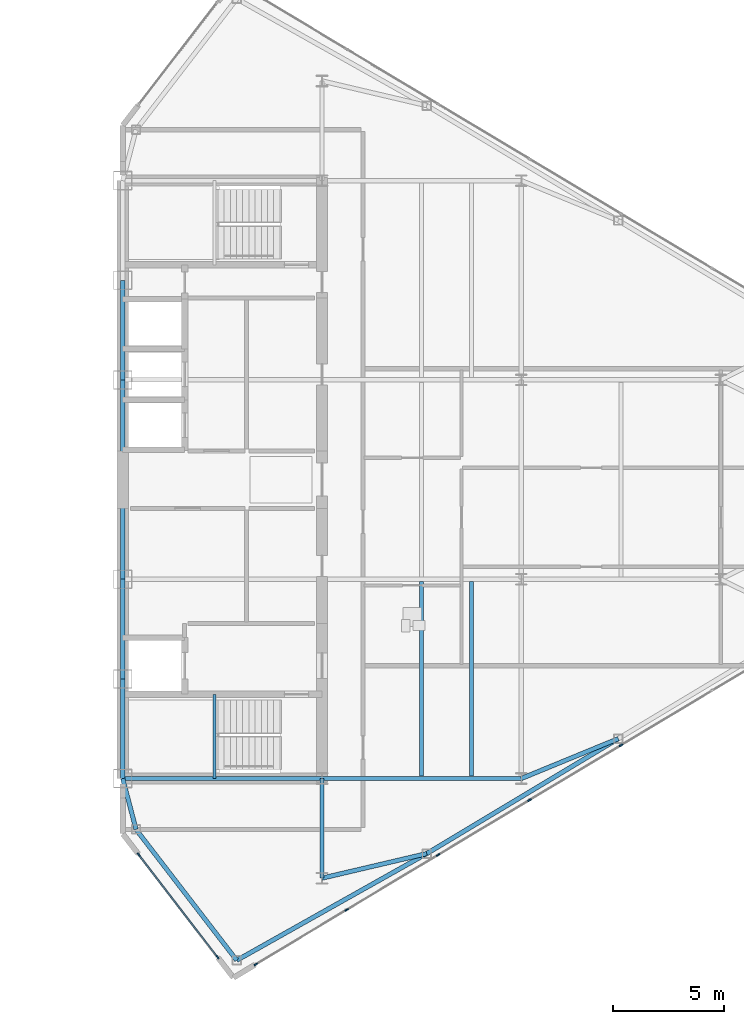
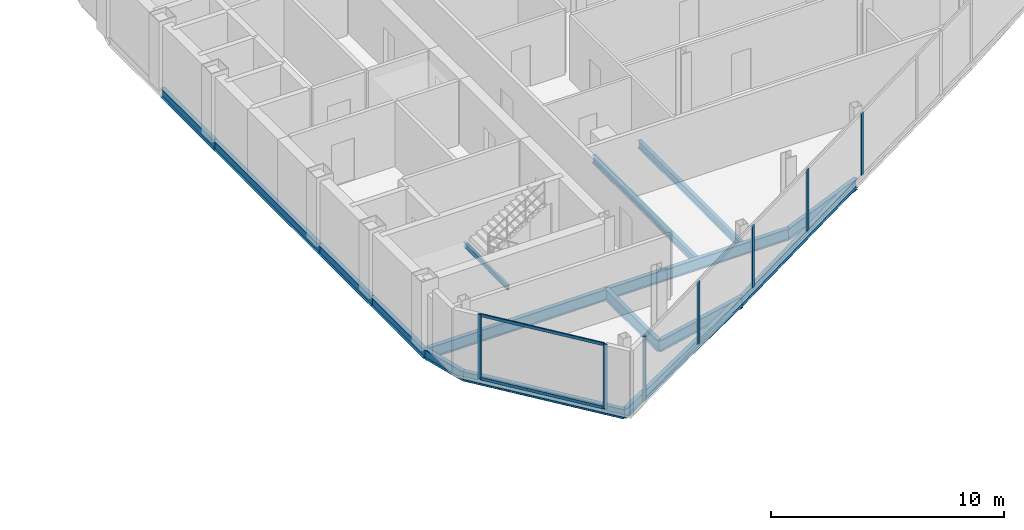
# One storey, part 11 of 25: 16 beams, 9 members, 2 elements without a shape of their own.
"""IFC4 building model written with IfcOpenShell, lengths in metres."""

from ifc_helpers import new_model, si_unit, direction, frame, origin, origin_2d, place, context, subcontext, project, spatial, rectangle, i_section, extrude, source, transform, mapped, material, layer, layer_set, material_profile, profile_set, type_object, type_shapes, element, aggregate, save


model = new_model("IFC4")

# Units and contexts
model_context = context("Model", 3, precision=1e-05, world=origin(), true_north=direction((0.0, 1.0)))
body_context = subcontext(model_context, "Body", "Model", "MODEL_VIEW")
ifc_project = project(units=[si_unit("LENGTHUNIT", "METRE"), si_unit("AREAUNIT", "SQUARE_METRE"), si_unit("VOLUMEUNIT", "CUBIC_METRE"), si_unit("PLANEANGLEUNIT", "RADIAN"), si_unit("MASSUNIT", "GRAM", prefix="KILO")], contexts=[model_context])

# Site, building, storey
site_placement = place(None, origin())
site = spatial("IfcSite", under=ifc_project, at=site_placement, CompositionType="ELEMENT")
building_placement = place(site_placement, origin())
building = spatial("IfcBuilding", under=site, at=building_placement, Name="Seokmaru Belvedere", CompositionType="ELEMENT")
storey_placement = place(building_placement, frame((0.0, 0.0, 217.5)))
storey = spatial("IfcBuildingStorey", under=building, at=storey_placement, Name="L58", CompositionType="ELEMENT", Elevation=217.5)

# Beams
ifc_material_1 = material(Name="Steel SM355 (355 MPa)", Category="steel")
ifc_material_profile_1 = material_profile(ifc_material_1, i_section(OverallWidth=0.199951171875, OverallDepth=0.5, WebThickness=0.010009765625, FlangeThickness=0.01611328125, at=origin_2d()), Name="H-500x200x10x16")
ifc_profile_set_1 = profile_set([ifc_material_profile_1], Name="Steel SM355 (355 MPa)")
beam_type_1 = type_object("IfcBeamType", Name="Perimeter Spandrel Beam H-500", PredefinedType="SPANDREL", material=ifc_profile_set_1)
shared_shape_1 = source(origin(), body_context, "Body", "SweptSolid", [
    extrude(i_section(OverallWidth=0.199951171875, OverallDepth=0.5, WebThickness=0.010009765625, FlangeThickness=0.01611328125, at=origin_2d()), origin(), (0.0, 0.0, 1.0), 4.5),
])
for number, where, z_axis, x_axis, name in (
    (1, (27.5, -13.5, -0.469970703125), (0.0, 1.0, 0.0), (-1.0, 0.0, 0.0), "L58 E Portal Spine Spandrel 1"),
    (2, (27.5, -9.0, -0.469970703125), (0.0, 1.0, 0.0), (-1.0, 0.0, 0.0), "L58 E Portal Spine Spandrel 2"),
    (3, (27.5, 4.5, -0.469970703125), (0.0, 1.0, 0.0), (-1.0, 0.0, 0.0), "L58 E Portal Spine Spandrel 4"),
):
    element("IfcBeam", number, at=place(storey_placement, frame(where, z_axis=z_axis, x_axis=x_axis)), inside=storey, type_object=beam_type_1, Name=name, PredefinedType="SPANDREL", context=body_context, shape_type="MappedRepresentation", body=[
        mapped(shared_shape_1, transform((0.0, 0.0, 0.0), scale=1.0)),
    ])
shared_shape_2 = source(origin(), body_context, "Body", "SweptSolid", [
    extrude(i_section(OverallWidth=0.199951171875, OverallDepth=0.5, WebThickness=0.010009765625, FlangeThickness=0.01611328125, at=origin_2d()), origin(), (0.0, 0.0, 1.0), 9.0),
])
beam_1_placement = place(storey_placement, frame((27.5, -4.5, -0.469970703125), z_axis=(0.0, 1.0, 0.0), x_axis=(-1.0, 0.0, 0.0)))
element("IfcBeam", 4, at=beam_1_placement, inside=storey, type_object=beam_type_1, Name="L58 E Portal Spine Spandrel 3", PredefinedType="SPANDREL", context=body_context, shape_type="MappedRepresentation", body=[
    mapped(shared_shape_2, transform((0.0, 0.0, 0.0), scale=1.0)),
])
ifc_material_profile_2 = material_profile(ifc_material_1, i_section(OverallWidth=0.199951171875, OverallDepth=0.60009765625, WebThickness=0.010986328125, FlangeThickness=0.01708984375, at=origin_2d()), Name="H-600x200x11x17")
ifc_profile_set_2 = profile_set([ifc_material_profile_2], Name="Steel SM355 (355 MPa)")
beam_type_2 = type_object("IfcBeamType", Name="Primary Floor Girder H-600", PredefinedType="BEAM", material=ifc_profile_set_2)
shared_shape_3 = source(origin(), body_context, "Body", "SweptSolid", [
    extrude(i_section(OverallWidth=0.199951171875, OverallDepth=0.60009765625, WebThickness=0.010986328125, FlangeThickness=0.01708984375, at=origin_2d()), origin(), (0.0, 0.0, 1.0), 9.0),
])
for number, where, z_axis, x_axis, name in (
    (5, (27.5, -13.5, -0.52001953125), (1.0, 0.0, 0.0), (0.0, 1.0, 0.0), "L58 E Core Tie Girder 1"),
    (6, (36.5, -13.5, -0.52001953125), (1.0, 0.0, 0.0), (0.0, 1.0, 0.0), "L58 E Wing Primary Girder 1"),
):
    element("IfcBeam", number, at=place(storey_placement, frame(where, z_axis=z_axis, x_axis=x_axis)), inside=storey, type_object=beam_type_2, Name=name, PredefinedType="BEAM", context=body_context, shape_type="MappedRepresentation", body=[
        mapped(shared_shape_3, transform((0.0, 0.0, 0.0), scale=1.0)),
    ])
ifc_material_profile_3 = material_profile(ifc_material_1, i_section(OverallWidth=0.18505859375, OverallDepth=0.389892578125, WebThickness=0.008056640625, FlangeThickness=0.011962890625, at=origin_2d()), Name="H-390x185x8x12")
ifc_profile_set_3 = profile_set([ifc_material_profile_3], Name="Steel SM355 (355 MPa)")
beam_type_3 = type_object("IfcBeamType", Name="Secondary Floor Joist H-350", PredefinedType="JOIST", material=ifc_profile_set_3)
shared_shape_4 = source(origin(), body_context, "Body", "SweptSolid", [
    extrude(i_section(OverallWidth=0.18505859375, OverallDepth=0.389892578125, WebThickness=0.008056640625, FlangeThickness=0.011962890625, at=origin_2d()), origin(), (0.0, 0.0, 1.0), 8.7900390625),
])
type_shapes(beam_type_3, [shared_shape_4])
for number, where, z_axis, x_axis, name in (
    (7, (43.25, -13.39501953125, -0.4150390625), (0.0, 1.0, 0.0), (-1.0, 0.0, 0.0), "L58 E Wing Inner Secondary Joist 1"),
    (8, (41.0, -13.39501953125, -0.4150390625), (0.0, 1.0, 0.0), (-1.0, 0.0, 0.0), "L58 E Secondary Floor Joist 1"),
):
    element("IfcBeam", number, at=place(storey_placement, frame(where, z_axis=z_axis, x_axis=x_axis)), inside=storey, type_object=beam_type_3, Name=name, PredefinedType="JOIST", context=body_context, shape_type="MappedRepresentation", body=[
        mapped(shared_shape_4, transform((0.0, 0.0, 0.0), scale=1.0)),
    ])
shared_shape_5 = source(origin(), body_context, "Body", "SweptSolid", [
    extrude(i_section(OverallWidth=0.199951171875, OverallDepth=0.60009765625, WebThickness=0.010986328125, FlangeThickness=0.01708984375, at=origin_2d()), origin(), (0.0, 0.0, 1.0), 4.5),
])
beam_2_placement = place(storey_placement, frame((36.5, -18.0, -0.52001953125), z_axis=(0.0, 1.0, 0.0), x_axis=(-1.0, 0.0, 0.0)))
element("IfcBeam", 9, at=beam_2_placement, inside=storey, type_object=beam_type_2, Name="L58 E Core Shoulder Girder S", PredefinedType="BEAM", context=body_context, shape_type="MappedRepresentation", body=[
    mapped(shared_shape_5, transform((0.0, 0.0, 0.0), scale=1.0)),
])
shared_shape_6 = source(origin(), body_context, "Body", "SweptSolid", [
    extrude(i_section(OverallWidth=0.199951171875, OverallDepth=0.5, WebThickness=0.010009765625, FlangeThickness=0.01611328125, at=origin_2d()), origin(), (0.0, 0.0, 1.0), 9.842041015625),
])
beam_3_placement = place(storey_placement, frame((32.649658203125, -21.71044921875, -0.469970703125), z_axis=(0.871782151818, 0.489893743349, 0.0), x_axis=(-0.489893743349, 0.871782151818, 0.0)))
element("IfcBeam", 10, at=beam_3_placement, inside=storey, type_object=beam_type_1, Name="L58 E Faceted Flank Spandrel S-1", PredefinedType="SPANDREL", context=body_context, shape_type="MappedRepresentation", body=[
    mapped(shared_shape_6, transform((0.0, 0.0, 0.0), scale=1.0)),
])
shared_shape_7 = source(origin(), body_context, "Body", "SweptSolid", [
    extrude(i_section(OverallWidth=0.199951171875, OverallDepth=0.5, WebThickness=0.010009765625, FlangeThickness=0.01611328125, at=origin_2d()), origin(), (0.0, 0.0, 1.0), 10.087646484375),
])
beam_4_placement = place(storey_placement, frame((41.229736328125, -16.888916015625, -0.469970703125), z_axis=(0.857499332045, 0.514485078056, 0.0), x_axis=(-0.514485078056, 0.857499332045, 0.0)))
element("IfcBeam", 11, at=beam_4_placement, inside=storey, type_object=beam_type_1, Name="L58 E Faceted Flank Spandrel S-2", PredefinedType="SPANDREL", context=body_context, shape_type="MappedRepresentation", body=[
    mapped(shared_shape_7, transform((0.0, 0.0, 0.0), scale=1.0)),
])
shared_shape_8 = source(origin(), body_context, "Body", "SweptSolid", [
    extrude(i_section(OverallWidth=0.199951171875, OverallDepth=0.5, WebThickness=0.010009765625, FlangeThickness=0.01611328125, at=origin_2d()), origin(), (0.0, 0.0, 1.0), 7.4619140625),
])
beam_5_placement = place(storey_placement, frame((32.649658203125, -21.71044921875, -0.469970703125), z_axis=(-0.609702854945, 0.792630070507, 0.0), x_axis=(-0.792630070507, -0.609702854945, 0.0)))
element("IfcBeam", 12, at=beam_5_placement, inside=storey, type_object=beam_type_1, Name="L58 E Shoulder Chamfer Spandrel S", PredefinedType="SPANDREL", context=body_context, shape_type="MappedRepresentation", body=[
    mapped(shared_shape_8, transform((0.0, 0.0, 0.0), scale=1.0)),
])
shared_shape_9 = source(origin(), body_context, "Body", "SweptSolid", [
    extrude(i_section(OverallWidth=0.199951171875, OverallDepth=0.5, WebThickness=0.010009765625, FlangeThickness=0.01611328125, at=origin_2d()), origin(), (0.0, 0.0, 1.0), 2.373046875),
])
type_shapes(beam_type_1, [shared_shape_1, shared_shape_2, shared_shape_6, shared_shape_7, shared_shape_8, shared_shape_9])
beam_6_placement = place(storey_placement, frame((28.10009765625, -15.7958984375, -0.469970703125), z_axis=(-0.252882558842, 0.967496982648, 0.0), x_axis=(-0.967496982648, -0.252882558842, 0.0)))
element("IfcBeam", 13, at=beam_6_placement, inside=storey, type_object=beam_type_1, Name="L58 E Shoulder Spine Spandrel S", PredefinedType="SPANDREL", context=body_context, shape_type="MappedRepresentation", body=[
    mapped(shared_shape_9, transform((0.0, 0.0, 0.0), scale=1.0)),
])
shared_shape_10 = source(origin(), body_context, "Body", "SweptSolid", [
    extrude(i_section(OverallWidth=0.199951171875, OverallDepth=0.60009765625, WebThickness=0.010986328125, FlangeThickness=0.01708984375, at=origin_2d()), origin(), (0.0, 0.0, 1.0), 4.8583984375),
])
beam_7_placement = place(storey_placement, frame((41.229736328125, -16.888916015625, -0.52001953125), z_axis=(-0.97349948295, -0.228689214211, 0.0), x_axis=(0.228689214211, -0.97349948295, 0.0)))
element("IfcBeam", 14, at=beam_7_placement, inside=storey, type_object=beam_type_2, Name="L58 E Flank Radial Floor Girder S-1", PredefinedType="BEAM", context=body_context, shape_type="MappedRepresentation", body=[
    mapped(shared_shape_10, transform((0.0, 0.0, 0.0), scale=1.0)),
])
shared_shape_11 = source(origin(), body_context, "Body", "SweptSolid", [
    extrude(i_section(OverallWidth=0.199951171875, OverallDepth=0.60009765625, WebThickness=0.010986328125, FlangeThickness=0.01708984375, at=origin_2d()), origin(), (0.0, 0.0, 1.0), 4.73583984375),
])
type_shapes(beam_type_2, [shared_shape_3, shared_shape_5, shared_shape_10, shared_shape_11])
beam_8_placement = place(storey_placement, frame((49.8798828125, -11.698974609375, -0.52001953125), z_axis=(-0.924860562953, -0.380306375301, 0.0), x_axis=(0.380306375301, -0.924860562953, 0.0)))
element("IfcBeam", 15, at=beam_8_placement, inside=storey, type_object=beam_type_2, Name="L58 E Flank Radial Floor Girder S-2", PredefinedType="BEAM", context=body_context, shape_type="MappedRepresentation", body=[
    mapped(shared_shape_11, transform((0.0, 0.0, 0.0), scale=1.0)),
])

# Curtain wall, member
ifc_material_2 = material(Name="Bronze Triple Insulating Glass", Category="glass")
ifc_layer = layer(ifc_material_2, 0.179931640625)
ifc_layer_set = layer_set([ifc_layer], Name="Bronze Triple Insulating Glass")
curtain_wall_type = type_object("IfcCurtainWallType", Name="High-Rise Wind-Corner Curtain Wall System CW-5", PredefinedType="NOTDEFINED", material=ifc_layer_set)
curtain_wall_1_placement = place(storey_placement, origin())
curtain_wall_1 = element("IfcCurtainWall", 16, at=curtain_wall_1_placement, inside=storey, type_object=curtain_wall_type, Name="L58 Curtain Wall EF1", PredefinedType="NOTDEFINED")
ifc_material_3 = material(Name="Anodised Bronze Aluminium", Category="aluminium")
ifc_material_profile_4 = material_profile(ifc_material_3, rectangle(XDim=0.06494140625, YDim=0.179931640625, at=origin_2d()), Name="CW-M-65x180")
ifc_profile_set_4 = profile_set([ifc_material_profile_4], Name="Anodised Bronze Aluminium")
member_type_1 = type_object("IfcMemberType", Name="Bronze Unitised Mullion 65x180", PredefinedType="MULLION", material=ifc_profile_set_4)
shared_shape_12 = source(origin(), body_context, "Body", "SweptSolid", [
    extrude(rectangle(XDim=0.06494140625, YDim=0.179931640625, at=origin_2d()), origin(), (0.0, 0.0, 1.0), 3.3798828125),
])
member_1_placement = place(storey_placement, frame((33.513916015625, -21.8916015625, 0.0), z_axis=(0.0, 0.0, 1.0), x_axis=(-0.514494909364, 0.85749343335, 0.0)))
member_1 = element("IfcMember", 17, at=member_1_placement, type_object=member_type_1, Name="CW:L58:EF1 Mullion 1", PredefinedType="MULLION", context=body_context, shape_type="MappedRepresentation", body=[
    mapped(shared_shape_12, transform((0.0, 0.0, 0.0), scale=1.0)),
])

# Curtain wall, members
curtain_wall_2_placement = place(storey_placement, origin())
curtain_wall_2 = element("IfcCurtainWall", 18, at=curtain_wall_2_placement, inside=storey, type_object=curtain_wall_type, Name="L58 Curtain Wall EF6", PredefinedType="NOTDEFINED")
member_2_placement = place(storey_placement, frame((28.220947265625, -16.937255859375, 0.0), z_axis=(0.0, 0.0, 1.0), x_axis=(0.792631353244, 0.609701187349, 0.0)))
member_2 = element("IfcMember", 19, at=member_2_placement, type_object=member_type_1, Name="CW:L58:EF6 Mullion 1", PredefinedType="MULLION", context=body_context, shape_type="MappedRepresentation", body=[
    mapped(shared_shape_12, transform((0.0, 0.0, 0.0), scale=1.0)),
])
member_3_placement = place(storey_placement, frame((31.779052734375, -21.562744140625, 0.0), z_axis=(0.0, 0.0, 1.0), x_axis=(0.792631353244, 0.609701187349, 0.0)))
member_3 = element("IfcMember", 20, at=member_3_placement, type_object=member_type_1, Name="CW:L58:EF6 Mullion 2", PredefinedType="MULLION", context=body_context, shape_type="MappedRepresentation", body=[
    mapped(shared_shape_12, transform((0.0, 0.0, 0.0), scale=1.0)),
])

# Member
shared_shape_13 = source(origin(), body_context, "Body", "SweptSolid", [
    extrude(rectangle(XDim=0.06494140625, YDim=0.179931640625, at=origin_2d()), origin(), (0.0, 0.0, 1.0), 3.25),
])
type_shapes(member_type_1, [shared_shape_12, shared_shape_13])
member_4_placement = place(storey_placement, frame((37.614501953125, -19.43115234375, 0.06494140625), z_axis=(0.0, 0.0, 1.0), x_axis=(-0.514494909364, 0.85749343335, 0.0)))
member_4 = element("IfcMember", 21, at=member_4_placement, type_object=member_type_1, Name="CW:L58:EF1 Mullion 2", PredefinedType="MULLION", context=body_context, shape_type="MappedRepresentation", body=[
    mapped(shared_shape_13, transform((0.0, 0.0, 0.0), scale=1.0)),
])

member_5_placement = place(storey_placement, frame((41.7431640625, -16.9541015625, 0.06494140625), z_axis=(0.0, 0.0, 1.0), x_axis=(-0.514494909364, 0.85749343335, 0.0)))
member_5 = element("IfcMember", 22, at=member_5_placement, type_object=member_type_1, Name="CW:L58:EF1 Mullion 3", PredefinedType="MULLION", context=body_context, shape_type="MappedRepresentation", body=[
    mapped(shared_shape_13, transform((0.0, 0.0, 0.0), scale=1.0)),
])

member_6_placement = place(storey_placement, frame((45.87158203125, -14.47705078125, 0.06494140625), z_axis=(0.0, 0.0, 1.0), x_axis=(-0.514494909364, 0.85749343335, 0.0)))
member_6 = element("IfcMember", 23, at=member_6_placement, type_object=member_type_1, Name="CW:L58:EF1 Mullion 4", PredefinedType="MULLION", context=body_context, shape_type="MappedRepresentation", body=[
    mapped(shared_shape_13, transform((0.0, 0.0, 0.0), scale=1.0)),
])

member_7_placement = place(storey_placement, frame((50.0, -12.0, 0.06494140625), z_axis=(0.0, 0.0, 1.0), x_axis=(-0.514494909364, 0.85749343335, 0.0)))
member_7 = element("IfcMember", 24, at=member_7_placement, type_object=member_type_1, Name="CW:L58:EF1 Mullion 5", PredefinedType="MULLION", context=body_context, shape_type="MappedRepresentation", body=[
    mapped(shared_shape_13, transform((0.0, 0.0, 0.0), scale=1.0)),
])

aggregate(curtain_wall_1, [member_1, member_4, member_5, member_6, member_7])

ifc_material_profile_5 = material_profile(ifc_material_3, rectangle(XDim=0.06494140625, YDim=0.14990234375, at=origin_2d()), Name="CW-T-65x150")
ifc_profile_set_5 = profile_set([ifc_material_profile_5], Name="Anodised Bronze Aluminium")
member_type_2 = type_object("IfcMemberType", Name="Bronze Unitised Transom 65x150", PredefinedType="USERDEFINED", material=ifc_profile_set_5)
shared_shape_14 = source(origin(), body_context, "Body", "SweptSolid", [
    extrude(rectangle(XDim=0.06494140625, YDim=0.14990234375, at=origin_2d()), origin(), (0.0, 0.0, 1.0), 5.77099609375),
])
type_shapes(member_type_2, [shared_shape_14])
member_8_placement = place(storey_placement, frame((28.24072265625, -16.962890625, 0.032470703125), z_axis=(0.60970258286, -0.792630279799, 0.0), x_axis=(0.792630279799, 0.60970258286, 0.0)))
member_8 = element("IfcMember", 25, at=member_8_placement, type_object=member_type_2, Name="CW:L58:EF6 Continuous Transom 1", ObjectType="TRANSOM", PredefinedType="USERDEFINED", context=body_context, shape_type="MappedRepresentation", body=[
    mapped(shared_shape_14, transform((0.0, 0.0, 0.0), scale=1.0)),
])

member_9_placement = place(storey_placement, frame((28.24072265625, -16.962890625, 3.347412109375), z_axis=(0.60970258286, -0.792630279799, 0.0), x_axis=(0.792630279799, 0.60970258286, 0.0)))
member_9 = element("IfcMember", 26, at=member_9_placement, type_object=member_type_2, Name="CW:L58:EF6 Continuous Transom 2", ObjectType="TRANSOM", PredefinedType="USERDEFINED", context=body_context, shape_type="MappedRepresentation", body=[
    mapped(shared_shape_14, transform((0.0, 0.0, 0.0), scale=1.0)),
])

aggregate(curtain_wall_2, [member_2, member_3, member_8, member_9])

# Beam
ifc_material_profile_6 = material_profile(ifc_material_1, i_section(OverallWidth=0.125, OverallDepth=0.25, WebThickness=0.006103515625, FlangeThickness=0.009033203125, at=origin_2d()), Name="H-250x125x6x9")
ifc_profile_set_6 = profile_set([ifc_material_profile_6], Name="Steel SM355 (355 MPa)")
beam_type_4 = type_object("IfcBeamType", Name="Stair Mid-Landing Support Beam H-250", PredefinedType="JOIST", material=ifc_profile_set_6)
shared_shape_15 = source(origin(), body_context, "Body", "SweptSolid", [
    extrude(i_section(OverallWidth=0.125, OverallDepth=0.25, WebThickness=0.006103515625, FlangeThickness=0.009033203125, at=origin_2d()), origin(), (0.0, 0.0, 1.0), 3.800048828125),
])
type_shapes(beam_type_4, [shared_shape_15])
beam_9_placement = place(storey_placement, frame((31.64990234375, -13.5, 1.47509765625), z_axis=(0.0, 1.0, 0.0), x_axis=(-1.0, 0.0, 0.0)))
element("IfcBeam", 27, at=beam_9_placement, inside=storey, type_object=beam_type_4, Name="L58 Stair ST-E1 Mid-Landing Support Beam 1", PredefinedType="JOIST", context=body_context, shape_type="MappedRepresentation", body=[
    mapped(shared_shape_15, transform((0.0, 0.0, 0.0), scale=1.0)),
])

save(model, "model.ifc")
